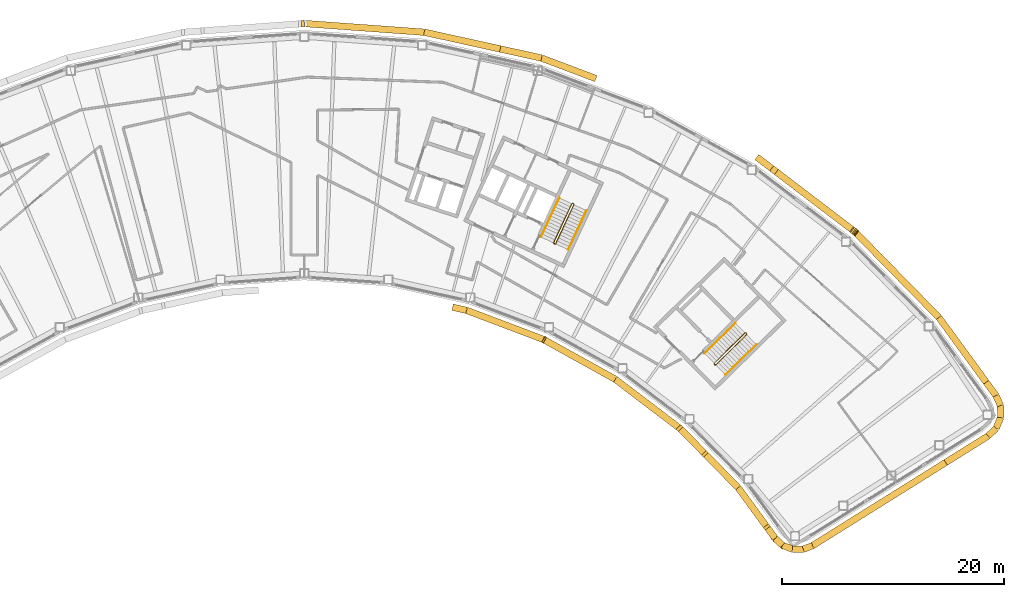
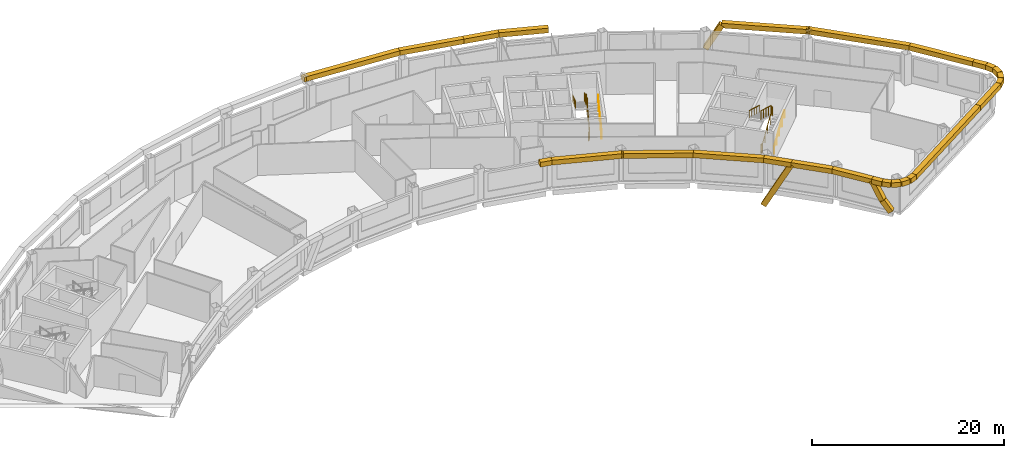
# One storey, part 13 of 13: 35 coverings, 6 railings.
"""IFC4 building model written with IfcOpenShell, lengths in metres."""

from ifc_helpers import new_model, si_unit, direction, frame, origin, origin_2d, place, context, subcontext, project, spatial, rectangle, circle, extrude, material, material_profile, profile_set, type_object, element, save


model = new_model("IFC4")

# Units and contexts
model_context = context("Model", 3, precision=1e-05, world=origin(), true_north=direction((0.0, 1.0)))
body_context = subcontext(model_context, "Body", "Model", "MODEL_VIEW")
ifc_project = project(units=[si_unit("LENGTHUNIT", "METRE"), si_unit("AREAUNIT", "SQUARE_METRE"), si_unit("VOLUMEUNIT", "CUBIC_METRE"), si_unit("PLANEANGLEUNIT", "RADIAN"), si_unit("MASSUNIT", "GRAM", prefix="KILO")], contexts=[model_context])

# Site, building, storey
site_placement = place(None, origin())
site = spatial("IfcSite", under=ifc_project, at=site_placement, CompositionType="ELEMENT")
building_placement = place(site_placement, origin())
building = spatial("IfcBuilding", under=site, at=building_placement, Name="Tuul Gate Civic Tower", CompositionType="ELEMENT")
storey_placement = place(building_placement, frame((0.0, 0.0, 252.60009765625)))
storey = spatial("IfcBuildingStorey", under=building, at=storey_placement, Name="Level 57", CompositionType="ELEMENT", Elevation=252.60009765625)

# Railings
ifc_material_1 = material(Name="Painted steel", Category="steel")
railing_type_1 = type_object("IfcRailingType", Name="Stair guard", PredefinedType="GUARDRAIL", material=ifc_material_1)
railing_1_placement = place(storey_placement, frame((48.10546875, -16.134765625, 0.0)))
element("IfcRailing", 1, at=railing_1_placement, inside=storey, type_object=railing_type_1, Name="Level 57 ST-3 stair guard 1", PredefinedType="GUARDRAIL", context=body_context, shape_type="SweptSolid", body=[
    extrude(circle(Radius=0.02392578125, at=origin_2d()), frame((0.0, 0.0, 1.076171875), z_axis=(-0.698506948293, 0.715603272202, 0.0), x_axis=(-0.715603272202, -0.698506948293, 0.0)), (0.0, 0.0, 1.0), 0.099853515625),
    extrude(circle(Radius=0.02392578125, at=origin_2d()), frame((-0.06982421875, 0.071533203125, 1.076171875), z_axis=(0.645446321009, -0.331687692741, 0.688027849131), x_axis=(0.457068866502, 0.889431307788, 0.0)), (0.0, 0.0, 1.0), 0.2177734375),
    extrude(circle(Radius=0.02392578125, at=origin_2d()), frame((0.07080078125, -0.000732421875, 1.22607421875), z_axis=(0.638731261263, 0.626133563701, 0.447190268558), x_axis=(-0.700029477518, 0.714113947914, 0.0)), (0.0, 0.0, 1.0), 4.3603515625),
    extrude(circle(Radius=0.02392578125, at=origin_2d()), frame((2.85595703125, 2.7294921875, 3.17578125), z_axis=(0.010380063588, 0.999946125689, 0.0), x_axis=(-0.999946125689, 0.010380063588, 0.0)), (0.0, 0.0, 1.0), 0.070556640625),
    extrude(circle(Radius=0.02392578125, at=origin_2d()), frame((2.856689453125, 2.800048828125, 3.17578125), z_axis=(-0.699754442181, 0.714383454909, 0.0), x_axis=(-0.714383454909, -0.699754442181, 0.0)), (0.0, 0.0, 1.0), 0.10009765625),
    extrude(circle(Radius=0.02392578125, at=origin_2d()), frame((2.78662109375, 2.87158203125, 3.17578125), z_axis=(-0.426501027327, 0.004412079593, 0.904476316574), x_axis=(-0.010344274102, -0.999946496565, 0.0)), (0.0, 0.0, 1.0), 0.166015625),
    extrude(circle(Radius=0.02392578125, at=origin_2d()), frame((2.7158203125, 2.872314453125, 3.326171875), z_axis=(-0.638731261263, -0.626133563701, 0.447190268558), x_axis=(0.700029477518, -0.714113947914, 0.0)), (0.0, 0.0, 1.0), 4.3603515625),
    extrude(circle(Radius=0.02099609375, at=origin_2d()), origin(), (0.0, 0.0, 1.0), 1.052001953125),
    extrude(circle(Radius=0.02099609375, at=origin_2d()), frame((-0.06982421875, 0.071533203125, 0.0)), (0.0, 0.0, 1.0), 1.052001953125),
    extrude(circle(Radius=0.02099609375, at=origin_2d()), frame((0.07080078125, -0.000732421875, 0.14990234375)), (0.0, 0.0, 1.0), 1.052001953125),
    extrude(circle(Radius=0.02099609375, at=origin_2d()), frame((0.76708984375, 0.681884765625, 0.637451171875)), (0.0, 0.0, 1.0), 1.052001953125),
    extrude(circle(Radius=0.02099609375, at=origin_2d()), frame((1.46337890625, 1.3642578125, 1.125)), (0.0, 0.0, 1.0), 1.052001953125),
    extrude(circle(Radius=0.02099609375, at=origin_2d()), frame((2.15966796875, 2.046875, 1.6123046875)), (0.0, 0.0, 1.0), 1.052001953125),
    extrude(circle(Radius=0.02099609375, at=origin_2d()), frame((2.85595703125, 2.7294921875, 2.099853515625)), (0.0, 0.0, 1.0), 1.052001953125),
    extrude(circle(Radius=0.02099609375, at=origin_2d()), frame((2.856689453125, 2.800048828125, 2.099853515625)), (0.0, 0.0, 1.0), 1.052001953125),
    extrude(circle(Radius=0.02099609375, at=origin_2d()), frame((2.78662109375, 2.87158203125, 2.099853515625)), (0.0, 0.0, 1.0), 1.052001953125),
    extrude(circle(Radius=0.02099609375, at=origin_2d()), frame((2.7158203125, 2.872314453125, 2.25)), (0.0, 0.0, 1.0), 1.052001953125),
    extrude(circle(Radius=0.02099609375, at=origin_2d()), frame((2.01953125, 2.189697265625, 2.737548828125)), (0.0, 0.0, 1.0), 1.052001953125),
    extrude(circle(Radius=0.02099609375, at=origin_2d()), frame((1.3232421875, 1.50732421875, 3.22509765625)), (0.0, 0.0, 1.0), 1.052001953125),
    extrude(circle(Radius=0.02099609375, at=origin_2d()), frame((0.626953125, 0.82470703125, 3.71240234375)), (0.0, 0.0, 1.0), 1.052001953125),
    extrude(circle(Radius=0.02099609375, at=origin_2d()), frame((-0.0693359375, 0.14208984375, 4.199951171875)), (0.0, 0.0, 1.0), 1.052001953125),
])
railing_2_placement = place(storey_placement, frame((33.645751953125, -5.238525390625, 0.0)))
element("IfcRailing", 2, at=railing_2_placement, inside=storey, type_object=railing_type_1, Name="Level 57 ST-4 stair guard 1", PredefinedType="GUARDRAIL", context=body_context, shape_type="SweptSolid", body=[
    extrude(circle(Radius=0.02392578125, at=origin_2d()), frame((0.0, 0.0, 1.076171875), z_axis=(-0.906307919131, 0.422617978463, 0.0), x_axis=(-0.422617978463, -0.906307919131, 0.0)), (0.0, 0.0, 1.0), 0.099853515625),
    extrude(circle(Radius=0.02392578125, at=origin_2d()), frame((-0.090576171875, 0.042236328125, 1.076171875), z_axis=(0.720735628292, -0.082946246491, 0.688229666829), x_axis=(0.114330889033, 0.993442724979, 0.0)), (0.0, 0.0, 1.0), 0.2177734375),
    extrude(circle(Radius=0.02392578125, at=origin_2d()), frame((0.06640625, 0.024169921875, 1.22607421875), z_axis=(0.377946903738, 0.810654114417, 0.447209173356), x_axis=(-0.906336612539, 0.422556439746, 0.0)), (0.0, 0.0, 1.0), 4.3603515625),
    extrude(circle(Radius=0.02392578125, at=origin_2d()), frame((1.71435546875, 3.558837890625, 3.17578125), z_axis=(-0.342020437038, 0.939692513883, 0.0), x_axis=(-0.939692513883, -0.342020437038, 0.0)), (0.0, 0.0, 1.0), 0.070556640625),
    extrude(circle(Radius=0.02392578125, at=origin_2d()), frame((1.690185546875, 3.625244140625, 3.17578125), z_axis=(-0.906307919131, 0.422617978463, 0.0), x_axis=(-0.422617978463, -0.906307919131, 0.0)), (0.0, 0.0, 1.0), 0.099853515625),
    extrude(circle(Radius=0.02392578125, at=origin_2d()), frame((1.599609375, 3.66748046875, 3.17578125), z_axis=(-0.400168791901, -0.145649670582, 0.904793408159), x_axis=(0.342020437038, -0.939692513883, 0.0)), (0.0, 0.0, 1.0), 0.166015625),
    extrude(circle(Radius=0.02392578125, at=origin_2d()), frame((1.533203125, 3.643310546875, 3.326171875), z_axis=(-0.377946903738, -0.810654114417, 0.447209173356), x_axis=(0.906336612539, -0.422556439746, 0.0)), (0.0, 0.0, 1.0), 4.3603515625),
    extrude(circle(Radius=0.02099609375, at=origin_2d()), origin(), (0.0, 0.0, 1.0), 1.052001953125),
    extrude(circle(Radius=0.02099609375, at=origin_2d()), frame((-0.090576171875, 0.042236328125, 0.0)), (0.0, 0.0, 1.0), 1.052001953125),
    extrude(circle(Radius=0.02099609375, at=origin_2d()), frame((0.06640625, 0.024169921875, 0.14990234375)), (0.0, 0.0, 1.0), 1.052001953125),
    extrude(circle(Radius=0.02099609375, at=origin_2d()), frame((0.478515625, 0.90771484375, 0.637451171875)), (0.0, 0.0, 1.0), 1.052001953125),
    extrude(circle(Radius=0.02099609375, at=origin_2d()), frame((0.890380859375, 1.79150390625, 1.125)), (0.0, 0.0, 1.0), 1.052001953125),
    extrude(circle(Radius=0.02099609375, at=origin_2d()), frame((1.30224609375, 2.67529296875, 1.6123046875)), (0.0, 0.0, 1.0), 1.052001953125),
    extrude(circle(Radius=0.02099609375, at=origin_2d()), frame((1.71435546875, 3.558837890625, 2.099853515625)), (0.0, 0.0, 1.0), 1.052001953125),
    extrude(circle(Radius=0.02099609375, at=origin_2d()), frame((1.690185546875, 3.625244140625, 2.099853515625)), (0.0, 0.0, 1.0), 1.052001953125),
    extrude(circle(Radius=0.02099609375, at=origin_2d()), frame((1.599609375, 3.66748046875, 2.099853515625)), (0.0, 0.0, 1.0), 1.052001953125),
    extrude(circle(Radius=0.02099609375, at=origin_2d()), frame((1.533203125, 3.643310546875, 2.25)), (0.0, 0.0, 1.0), 1.052001953125),
    extrude(circle(Radius=0.02099609375, at=origin_2d()), frame((1.12109375, 2.759765625, 2.737548828125)), (0.0, 0.0, 1.0), 1.052001953125),
    extrude(circle(Radius=0.02099609375, at=origin_2d()), frame((0.709228515625, 1.8759765625, 3.22509765625)), (0.0, 0.0, 1.0), 1.052001953125),
    extrude(circle(Radius=0.02099609375, at=origin_2d()), frame((0.29736328125, 0.9921875, 3.71240234375)), (0.0, 0.0, 1.0), 1.052001953125),
    extrude(circle(Radius=0.02099609375, at=origin_2d()), frame((-0.11474609375, 0.108642578125, 4.199951171875)), (0.0, 0.0, 1.0), 1.052001953125),
])
ifc_material_2 = material(Name="Painted steel", Category="steel")
railing_type_2 = type_object("IfcRailingType", Name="Stair handrail", PredefinedType="HANDRAIL", material=ifc_material_2)
railing_3_placement = place(storey_placement, frame((49.05126953125, -17.028076171875, 0.14990234375)))
element("IfcRailing", 3, at=railing_3_placement, inside=storey, type_object=railing_type_2, Name="Level 57 ST-3 stair handrail 1", PredefinedType="HANDRAIL", context=body_context, shape_type="SweptSolid", body=[
    extrude(circle(Radius=0.02392578125, at=origin_2d()), frame((0.0, 0.0, 0.8759765625), z_axis=(0.638753653487, 0.626099522554, 0.447205945863), x_axis=(-0.699997553204, 0.714145241186, 0.0)), (0.0, 0.0, 1.0), 4.3603515625),
    extrude(circle(Radius=0.02099609375, at=origin_2d()), origin(), (0.0, 0.0, 1.0), 0.851806640625),
    extrude(circle(Radius=0.02099609375, at=origin_2d()), frame((0.6962890625, 0.6826171875, 0.487548828125)), (0.0, 0.0, 1.0), 0.851806640625),
    extrude(circle(Radius=0.02099609375, at=origin_2d()), frame((1.392578125, 1.364990234375, 0.97509765625)), (0.0, 0.0, 1.0), 0.851806640625),
    extrude(circle(Radius=0.02099609375, at=origin_2d()), frame((2.0888671875, 2.04736328125, 1.46240234375)), (0.0, 0.0, 1.0), 0.851806640625),
    extrude(circle(Radius=0.02099609375, at=origin_2d()), frame((2.78515625, 2.72998046875, 1.949951171875)), (0.0, 0.0, 1.0), 0.851806640625),
])
railing_4_placement = place(storey_placement, frame((49.9462890625, -12.369873046875, 2.25)))
element("IfcRailing", 4, at=railing_4_placement, inside=storey, type_object=railing_type_2, Name="Level 57 ST-3 stair handrail 2", PredefinedType="HANDRAIL", context=body_context, shape_type="SweptSolid", body=[
    extrude(circle(Radius=0.02392578125, at=origin_2d()), frame((0.0, 0.0, 0.8759765625), z_axis=(-0.638753653487, -0.626099522554, 0.447205945863), x_axis=(0.699997553204, -0.714145241186, 0.0)), (0.0, 0.0, 1.0), 4.3603515625),
    extrude(circle(Radius=0.02099609375, at=origin_2d()), origin(), (0.0, 0.0, 1.0), 0.851806640625),
    extrude(circle(Radius=0.02099609375, at=origin_2d()), frame((-0.6962890625, -0.6826171875, 0.487548828125)), (0.0, 0.0, 1.0), 0.851806640625),
    extrude(circle(Radius=0.02099609375, at=origin_2d()), frame((-1.392578125, -1.364990234375, 0.97509765625)), (0.0, 0.0, 1.0), 0.851806640625),
    extrude(circle(Radius=0.02099609375, at=origin_2d()), frame((-2.0888671875, -2.04736328125, 1.46240234375)), (0.0, 0.0, 1.0), 0.851806640625),
    extrude(circle(Radius=0.02099609375, at=origin_2d()), frame((-2.78515625, -2.72998046875, 1.949951171875)), (0.0, 0.0, 1.0), 0.851806640625),
])
railing_5_placement = place(storey_placement, frame((34.844970703125, -5.74267578125, 0.14990234375)))
element("IfcRailing", 5, at=railing_5_placement, inside=storey, type_object=railing_type_2, Name="Level 57 ST-4 stair handrail 1", PredefinedType="HANDRAIL", context=body_context, shape_type="SweptSolid", body=[
    extrude(circle(Radius=0.02392578125, at=origin_2d()), frame((0.0, 0.0, 0.8759765625), z_axis=(0.377994896215, 0.810636958585, 0.447199709091), x_axis=(-0.906312636903, 0.422607861012, 0.0)), (0.0, 0.0, 1.0), 4.3603515625),
    extrude(circle(Radius=0.02099609375, at=origin_2d()), origin(), (0.0, 0.0, 1.0), 0.851806640625),
    extrude(circle(Radius=0.02099609375, at=origin_2d()), frame((0.412109375, 0.8837890625, 0.487548828125)), (0.0, 0.0, 1.0), 0.851806640625),
    extrude(circle(Radius=0.02099609375, at=origin_2d()), frame((0.82421875, 1.767333984375, 0.97509765625)), (0.0, 0.0, 1.0), 0.851806640625),
    extrude(circle(Radius=0.02099609375, at=origin_2d()), frame((1.236083984375, 2.65087890625, 1.46240234375)), (0.0, 0.0, 1.0), 0.851806640625),
    extrude(circle(Radius=0.02099609375, at=origin_2d()), frame((1.648193359375, 3.53466796875, 1.949951171875)), (0.0, 0.0, 1.0), 0.851806640625),
])
railing_6_placement = place(storey_placement, frame((34.046142578125, -1.06689453125, 2.25)))
element("IfcRailing", 6, at=railing_6_placement, inside=storey, type_object=railing_type_2, Name="Level 57 ST-4 stair handrail 2", PredefinedType="HANDRAIL", context=body_context, shape_type="SweptSolid", body=[
    extrude(circle(Radius=0.02392578125, at=origin_2d()), frame((0.0, 0.0, 0.8759765625), z_axis=(-0.377994896215, -0.810636958585, 0.447199709091), x_axis=(0.906312636903, -0.422607861012, 0.0)), (0.0, 0.0, 1.0), 4.3603515625),
    extrude(circle(Radius=0.02099609375, at=origin_2d()), origin(), (0.0, 0.0, 1.0), 0.851806640625),
    extrude(circle(Radius=0.02099609375, at=origin_2d()), frame((-0.412109375, -0.8837890625, 0.487548828125)), (0.0, 0.0, 1.0), 0.851806640625),
    extrude(circle(Radius=0.02099609375, at=origin_2d()), frame((-0.82421875, -1.767333984375, 0.97509765625)), (0.0, 0.0, 1.0), 0.851806640625),
    extrude(circle(Radius=0.02099609375, at=origin_2d()), frame((-1.236083984375, -2.65087890625, 1.46240234375)), (0.0, 0.0, 1.0), 0.851806640625),
    extrude(circle(Radius=0.02099609375, at=origin_2d()), frame((-1.648193359375, -3.53466796875, 1.949951171875)), (0.0, 0.0, 1.0), 0.851806640625),
])

# Coverings
ifc_material_3 = material(Name="Terracotta baguette", Category="masonry")
ifc_material_profile = material_profile(ifc_material_3, rectangle(XDim=0.60009765625, YDim=0.60009765625, at=origin_2d()), Name="Terracotta baguette screen frame")
ifc_profile_set = profile_set([ifc_material_profile], Name="Terracotta baguette")
covering_type = type_object("IfcCoveringType", Name="Terracotta baguette screen frame", PredefinedType="CLADDING", material=ifc_profile_set)
covering_1_placement = place(storey_placement, frame((68.93212890625, -24.951171875, 3.849853515625), z_axis=(0.848019513707, 0.529965002969, 0.0), x_axis=(-0.529965002969, 0.848019513707, 0.0)))
element("IfcCovering", 7, at=covering_1_placement, inside=storey, type_object=covering_type, Name="Baguette 4", PredefinedType="CLADDING", context=body_context, shape_type="SweptSolid", body=[
    extrude(rectangle(XDim=0.60009765625, YDim=0.60009765625, at=origin_2d()), origin(), (0.0, 0.0, 1.0), 4.526611328125),
])
covering_2_placement = place(storey_placement, frame((72.770751953125, -22.55224609375, 3.849853515625), z_axis=(0.722749211147, 0.69111039479, 0.0), x_axis=(-0.69111039479, 0.722749211147, 0.0)))
element("IfcCovering", 8, at=covering_2_placement, inside=storey, type_object=covering_type, Name="Baguette 5", PredefinedType="CLADDING", context=body_context, shape_type="SweptSolid", body=[
    extrude(rectangle(XDim=0.60009765625, YDim=0.60009765625, at=origin_2d()), origin(), (0.0, 0.0, 1.0), 0.98779296875),
])
covering_3_placement = place(storey_placement, frame((73.484619140625, -21.86962890625, 3.849853515625), z_axis=(0.385378072861, 0.922758766394, 0.0), x_axis=(-0.922758766394, 0.385378072861, 0.0)))
element("IfcCovering", 9, at=covering_3_placement, inside=storey, type_object=covering_type, Name="Baguette 6", PredefinedType="CLADDING", context=body_context, shape_type="SweptSolid", body=[
    extrude(rectangle(XDim=0.60009765625, YDim=0.60009765625, at=origin_2d()), origin(), (0.0, 0.0, 1.0), 1.068115234375),
])
covering_4_placement = place(storey_placement, frame((73.896240234375, -20.884033203125, 3.849853515625), z_axis=(-0.014650442147, 0.999892676513, 0.0), x_axis=(-0.999892676513, -0.014650442147, 0.0)))
element("IfcCovering", 10, at=covering_4_placement, inside=storey, type_object=covering_type, Name="Baguette 7", PredefinedType="CLADDING", context=body_context, shape_type="SweptSolid", body=[
    extrude(rectangle(XDim=0.60009765625, YDim=0.60009765625, at=origin_2d()), origin(), (0.0, 0.0, 1.0), 1.06640625),
])
covering_5_placement = place(storey_placement, frame((73.880615234375, -19.817626953125, 3.849853515625), z_axis=(-0.4130215853, 0.910721236206, 0.0), x_axis=(-0.910721236206, -0.4130215853, 0.0)))
element("IfcCovering", 11, at=covering_5_placement, inside=storey, type_object=covering_type, Name="Baguette 8", PredefinedType="CLADDING", context=body_context, shape_type="SweptSolid", body=[
    extrude(rectangle(XDim=0.60009765625, YDim=0.60009765625, at=origin_2d()), origin(), (0.0, 0.0, 1.0), 0.989013671875),
])
covering_6_placement = place(storey_placement, frame((73.47216796875, -18.9169921875, 3.849853515625), z_axis=(-0.589783082053, 0.807561710412, 0.0), x_axis=(-0.807561710412, -0.589783082053, 0.0)))
element("IfcCovering", 12, at=covering_6_placement, inside=storey, type_object=covering_type, Name="Baguette 9", PredefinedType="CLADDING", context=body_context, shape_type="SweptSolid", body=[
    extrude(rectangle(XDim=0.60009765625, YDim=0.60009765625, at=origin_2d()), origin(), (0.0, 0.0, 1.0), 1.494384765625),
])
covering_7_placement = place(storey_placement, frame((60.724609375, -4.1142578125, 4.017578125), z_axis=(-0.377826807686, 0.288172988913, -0.879888192815), x_axis=(-0.606449175924, -0.795122252878, 0.0)))
element("IfcCovering", 13, at=covering_7_placement, inside=storey, type_object=covering_type, Name="Baguette 28", PredefinedType="CLADDING", context=body_context, shape_type="SweptSolid", body=[
    extrude(rectangle(XDim=0.60009765625, YDim=0.60009765625, at=origin_2d()), origin(), (0.0, 0.0, 1.0), 0.190673828125),
])
covering_8_placement = place(storey_placement, frame((60.652587890625, -4.059326171875, 3.849853515625), z_axis=(0.378253003492, -0.288498053511, -0.879598509815), x_axis=(0.606449175924, 0.795122252878, 0.0)))
element("IfcCovering", 14, at=covering_8_placement, inside=storey, type_object=covering_type, Name="Baguette 31", PredefinedType="CLADDING", context=body_context, shape_type="SweptSolid", body=[
    extrude(rectangle(XDim=0.60009765625, YDim=0.60009765625, at=origin_2d()), origin(), (0.0, 0.0, 1.0), 0.1904296875),
])
covering_9_placement = place(storey_placement, frame((60.652587890625, -4.059326171875, 3.849853515625), z_axis=(-0.795655287337, 0.605749670848, 0.0), x_axis=(-0.605749670848, -0.795655287337, 0.0)))
element("IfcCovering", 15, at=covering_9_placement, inside=storey, type_object=covering_type, Name="Baguette 33", PredefinedType="CLADDING", context=body_context, shape_type="SweptSolid", body=[
    extrude(rectangle(XDim=0.60009765625, YDim=0.60009765625, at=origin_2d()), origin(), (0.0, 0.0, 1.0), 9.072509765625),
])
covering_10_placement = place(storey_placement, frame((53.43408203125, 1.436279296875, 3.849853515625), z_axis=(-0.378115726699, 0.287796863786, -0.879887187324), x_axis=(-0.605655261716, -0.795727154215, 0.0)))
element("IfcCovering", 16, at=covering_10_placement, inside=storey, type_object=covering_type, Name="Baguette 37", PredefinedType="CLADDING", context=body_context, shape_type="SweptSolid", body=[
    extrude(rectangle(XDim=0.60009765625, YDim=0.60009765625, at=origin_2d()), origin(), (0.0, 0.0, 1.0), 3.5517578125),
])
covering_11_placement = place(storey_placement, frame((37.35693359375, 9.7021484375, 3.849853515625), z_axis=(-0.935352024444, 0.353718235845, 0.0), x_axis=(-0.353718235845, -0.935352024444, 0.0)))
element("IfcCovering", 17, at=covering_11_placement, inside=storey, type_object=covering_type, Name="Baguette 54", PredefinedType="CLADDING", context=body_context, shape_type="SweptSolid", body=[
    extrude(rectangle(XDim=0.60009765625, YDim=0.60009765625, at=origin_2d()), origin(), (0.0, 0.0, 1.0), 5.24560546875),
])
covering_12_placement = place(storey_placement, frame((32.450439453125, 11.5576171875, 3.849853515625), z_axis=(-0.976557903523, 0.215254874664, 0.0), x_axis=(-0.215254874664, -0.976557903523, 0.0)))
element("IfcCovering", 18, at=covering_12_placement, inside=storey, type_object=covering_type, Name="Baguette 55", PredefinedType="CLADDING", context=body_context, shape_type="SweptSolid", body=[
    extrude(rectangle(XDim=0.60009765625, YDim=0.60009765625, at=origin_2d()), origin(), (0.0, 0.0, 1.0), 3.82666015625),
])
covering_13_placement = place(storey_placement, frame((24.4091796875, -10.938232421875, 3.849853515625), z_axis=(0.976580321069, -0.215153146619, 0.0), x_axis=(0.215153146619, 0.976580321069, 0.0)))
element("IfcCovering", 19, at=covering_13_placement, inside=storey, type_object=covering_type, Name="Baguette 229", PredefinedType="CLADDING", context=body_context, shape_type="SweptSolid", body=[
    extrude(rectangle(XDim=0.60009765625, YDim=0.60009765625, at=origin_2d()), origin(), (0.0, 0.0, 1.0), 1.294677734375),
])
covering_14_placement = place(storey_placement, frame((25.673583984375, -11.216796875, 3.849853515625), z_axis=(0.935320405664, -0.353801835423, 0.0), x_axis=(0.353801835423, 0.935320405664, 0.0)))
element("IfcCovering", 20, at=covering_14_placement, inside=storey, type_object=covering_type, Name="Baguette 230", PredefinedType="CLADDING", context=body_context, shape_type="SweptSolid", body=[
    extrude(rectangle(XDim=0.60009765625, YDim=0.60009765625, at=origin_2d()), origin(), (0.0, 0.0, 1.0), 7.41796875),
])
covering_15_placement = place(storey_placement, frame((32.61181640625, -13.84130859375, 3.849853515625), z_axis=(0.875065648596, -0.484004246518, 0.0), x_axis=(0.484004246518, 0.875065648596, 0.0)))
element("IfcCovering", 21, at=covering_15_placement, inside=storey, type_object=covering_type, Name="Baguette 231", PredefinedType="CLADDING", context=body_context, shape_type="SweptSolid", body=[
    extrude(rectangle(XDim=0.60009765625, YDim=0.60009765625, at=origin_2d()), origin(), (0.0, 0.0, 1.0), 0.13916015625),
])
covering_16_placement = place(storey_placement, frame((47.10693359375, -24.07861328125, 3.849853515625), z_axis=(-0.326322306676, 0.332868429016, -0.884710326113), x_axis=(-0.714093526358, -0.700050309345, 0.0)))
element("IfcCovering", 22, at=covering_16_placement, inside=storey, type_object=covering_type, Name="Baguette 250", PredefinedType="CLADDING", context=body_context, shape_type="SweptSolid", body=[
    extrude(rectangle(XDim=0.60009765625, YDim=0.60009765625, at=origin_2d()), origin(), (0.0, 0.0, 1.0), 6.4521484375),
])
covering_17_placement = place(storey_placement, frame((47.10693359375, -24.07861328125, 3.849853515625), z_axis=(0.700013851188, -0.714129265711, 0.0), x_axis=(0.714129265711, 0.700013851188, 0.0)))
element("IfcCovering", 23, at=covering_17_placement, inside=storey, type_object=covering_type, Name="Baguette 252", PredefinedType="CLADDING", context=body_context, shape_type="SweptSolid", body=[
    extrude(rectangle(XDim=0.60009765625, YDim=0.60009765625, at=origin_2d()), origin(), (0.0, 0.0, 1.0), 4.410400390625),
])
covering_18_placement = place(storey_placement, frame((50.1943359375, -27.228271484375, 3.849853515625), z_axis=(0.589760566258, -0.807578153795, 0.0), x_axis=(0.807578153795, 0.589760566258, 0.0)))
element("IfcCovering", 24, at=covering_18_placement, inside=storey, type_object=covering_type, Name="Baguette 253", PredefinedType="CLADDING", context=body_context, shape_type="SweptSolid", body=[
    extrude(rectangle(XDim=0.60009765625, YDim=0.60009765625, at=origin_2d()), origin(), (0.0, 0.0, 1.0), 4.519287109375),
])
covering_19_placement = place(storey_placement, frame((52.859619140625, -30.8779296875, 3.849853515625), z_axis=(0.278638300045, -0.381700417496, -0.881286269626), x_axis=(0.807690018687, 0.589607355546, 0.0)))
element("IfcCovering", 25, at=covering_19_placement, inside=storey, type_object=covering_type, Name="Baguette 258", PredefinedType="CLADDING", context=body_context, shape_type="SweptSolid", body=[
    extrude(rectangle(XDim=0.60009765625, YDim=0.60009765625, at=origin_2d()), origin(), (0.0, 0.0, 1.0), 2.4375),
])
covering_20_placement = place(storey_placement, frame((53.538818359375, -31.808349609375, 1.70166015625), z_axis=(0.418515268248, -0.39182463935, -0.819340235947), x_axis=(0.683445771731, 0.730001285686, 0.0)))
element("IfcCovering", 26, at=covering_20_placement, inside=storey, type_object=covering_type, Name="Baguette 259", PredefinedType="CLADDING", context=body_context, shape_type="SweptSolid", body=[
    extrude(rectangle(XDim=0.60009765625, YDim=0.60009765625, at=origin_2d()), origin(), (0.0, 0.0, 1.0), 1.5732421875),
])
covering_21_placement = place(storey_placement, frame((72.5908203125, -17.710205078125, 3.849853515625), z_axis=(-0.58982464892, 0.80753135142, 0.0), x_axis=(-0.80753135142, -0.58982464892, 0.0)))
element("IfcCovering", 27, at=covering_21_placement, inside=storey, type_object=covering_type, Name="Baguette 291", PredefinedType="CLADDING", context=body_context, shape_type="SweptSolid", body=[
    extrude(rectangle(XDim=0.60009765625, YDim=0.60009765625, at=origin_2d()), origin(), (0.0, 0.0, 1.0), 7.239990234375),
])
covering_22_placement = place(storey_placement, frame((68.320556640625, -11.86376953125, 3.849853515625), z_axis=(-0.699995601925, 0.714147153804, 0.0), x_axis=(-0.714147153804, -0.699995601925, 0.0)))
element("IfcCovering", 28, at=covering_22_placement, inside=storey, type_object=covering_type, Name="Baguette 292", PredefinedType="CLADDING", context=body_context, shape_type="SweptSolid", body=[
    extrude(rectangle(XDim=0.60009765625, YDim=0.60009765625, at=origin_2d()), origin(), (0.0, 0.0, 1.0), 10.851318359375),
])
covering_23_placement = place(storey_placement, frame((60.724609375, -4.1142578125, 3.849853515625), z_axis=(-0.795122252878, 0.606449175924, 0.0), x_axis=(-0.606449175924, -0.795122252878, 0.0)))
element("IfcCovering", 29, at=covering_23_placement, inside=storey, type_object=covering_type, Name="Baguette 293", PredefinedType="CLADDING", context=body_context, shape_type="SweptSolid", body=[
    extrude(rectangle(XDim=0.60009765625, YDim=0.60009765625, at=origin_2d()), origin(), (0.0, 0.0, 1.0), 0.090576171875),
])
covering_24_placement = place(storey_placement, frame((28.71337890625, 12.38134765625, 3.849853515625), z_axis=(-0.976568263541, 0.215207868455, 0.0), x_axis=(-0.215207868455, -0.976568263541, 0.0)))
element("IfcCovering", 30, at=covering_24_placement, inside=storey, type_object=covering_type, Name="Baguette 302", PredefinedType="CLADDING", context=body_context, shape_type="SweptSolid", body=[
    extrude(rectangle(XDim=0.60009765625, YDim=0.60009765625, at=origin_2d()), origin(), (0.0, 0.0, 1.0), 7.0244140625),
])
covering_25_placement = place(storey_placement, frame((21.853515625, 13.89306640625, 3.849853515625), z_axis=(-0.997386817082, 0.072246363998, 0.0), x_axis=(-0.072246363998, -0.997386817082, 0.0)))
element("IfcCovering", 31, at=covering_25_placement, inside=storey, type_object=covering_type, Name="Baguette 303", PredefinedType="CLADDING", context=body_context, shape_type="SweptSolid", body=[
    extrude(rectangle(XDim=0.60009765625, YDim=0.60009765625, at=origin_2d()), origin(), (0.0, 0.0, 1.0), 10.850830078125),
])
covering_26_placement = place(storey_placement, frame((11.031005859375, 14.677001953125, 3.849853515625), z_axis=(-0.997370581012, -0.072470160291, 0.0), x_axis=(0.072470160291, -0.997370581012, 0.0)))
element("IfcCovering", 32, at=covering_26_placement, inside=storey, type_object=covering_type, Name="Baguette 304", PredefinedType="CLADDING", context=body_context, shape_type="SweptSolid", body=[
    extrude(rectangle(XDim=0.60009765625, YDim=0.60009765625, at=origin_2d()), origin(), (0.0, 0.0, 1.0), 0.26953125),
])
covering_27_placement = place(storey_placement, frame((32.733642578125, -13.90869140625, 3.849853515625), z_axis=(0.874622022886, -0.484805442506, 0.0), x_axis=(0.484805442506, 0.874622022886, 0.0)))
element("IfcCovering", 33, at=covering_27_placement, inside=storey, type_object=covering_type, Name="Baguette 359", PredefinedType="CLADDING", context=body_context, shape_type="SweptSolid", body=[
    extrude(rectangle(XDim=0.60009765625, YDim=0.60009765625, at=origin_2d()), origin(), (0.0, 0.0, 1.0), 7.27880859375),
])
covering_28_placement = place(storey_placement, frame((39.099853515625, -17.4375, 3.849853515625), z_axis=(0.795630389124, -0.605782373384, 0.0), x_axis=(0.605782373384, 0.795630389124, 0.0)))
element("IfcCovering", 34, at=covering_28_placement, inside=storey, type_object=covering_type, Name="Baguette 360", PredefinedType="CLADDING", context=body_context, shape_type="SweptSolid", body=[
    extrude(rectangle(XDim=0.60009765625, YDim=0.60009765625, at=origin_2d()), origin(), (0.0, 0.0, 1.0), 7.41748046875),
])
covering_29_placement = place(storey_placement, frame((45.00146484375, -21.930908203125, 3.849853515625), z_axis=(0.700050309345, -0.714093526358, 0.0), x_axis=(0.714093526358, 0.700050309345, 0.0)))
element("IfcCovering", 35, at=covering_29_placement, inside=storey, type_object=covering_type, Name="Baguette 361", PredefinedType="CLADDING", context=body_context, shape_type="SweptSolid", body=[
    extrude(rectangle(XDim=0.60009765625, YDim=0.60009765625, at=origin_2d()), origin(), (0.0, 0.0, 1.0), 3.007568359375),
])
covering_30_placement = place(storey_placement, frame((52.859619140625, -30.8779296875, 3.849853515625), z_axis=(0.589607355546, -0.807690018687, 0.0), x_axis=(0.807690018687, 0.589607355546, 0.0)))
element("IfcCovering", 36, at=covering_30_placement, inside=storey, type_object=covering_type, Name="Baguette 373", PredefinedType="CLADDING", context=body_context, shape_type="SweptSolid", body=[
    extrude(rectangle(XDim=0.60009765625, YDim=0.60009765625, at=origin_2d()), origin(), (0.0, 0.0, 1.0), 1.15185546875),
])
covering_31_placement = place(storey_placement, frame((53.538818359375, -31.808349609375, 3.849853515625), z_axis=(0.730001285686, -0.683445771731, 0.0), x_axis=(0.683445771731, 0.730001285686, 0.0)))
element("IfcCovering", 37, at=covering_31_placement, inside=storey, type_object=covering_type, Name="Baguette 374", PredefinedType="CLADDING", context=body_context, shape_type="SweptSolid", body=[
    extrude(rectangle(XDim=0.60009765625, YDim=0.60009765625, at=origin_2d()), origin(), (0.0, 0.0, 1.0), 0.902099609375),
])
covering_32_placement = place(storey_placement, frame((54.197265625, -32.4248046875, 3.849853515625), z_axis=(0.929665294904, -0.368405265232, 0.0), x_axis=(0.368405265232, 0.929665294904, 0.0)))
element("IfcCovering", 38, at=covering_32_placement, inside=storey, type_object=covering_type, Name="Baguette 375", PredefinedType="CLADDING", context=body_context, shape_type="SweptSolid", body=[
    extrude(rectangle(XDim=0.60009765625, YDim=0.60009765625, at=origin_2d()), origin(), (0.0, 0.0, 1.0), 0.973388671875),
])
covering_33_placement = place(storey_placement, frame((55.102294921875, -32.783447265625, 3.849853515625), z_axis=(0.999990900757, -0.004265958673, 0.0), x_axis=(0.004265958673, 0.999990900757, 0.0)))
element("IfcCovering", 39, at=covering_33_placement, inside=storey, type_object=covering_type, Name="Baguette 376", PredefinedType="CLADDING", context=body_context, shape_type="SweptSolid", body=[
    extrude(rectangle(XDim=0.60009765625, YDim=0.60009765625, at=origin_2d()), origin(), (0.0, 0.0, 1.0), 0.972900390625),
])
covering_34_placement = place(storey_placement, frame((56.0751953125, -32.78759765625, 3.849853515625), z_axis=(0.93181662135, 0.362929447932, 0.0), x_axis=(-0.362929447932, 0.93181662135, 0.0)))
element("IfcCovering", 40, at=covering_34_placement, inside=storey, type_object=covering_type, Name="Baguette 377", PredefinedType="CLADDING", context=body_context, shape_type="SweptSolid", body=[
    extrude(rectangle(XDim=0.60009765625, YDim=0.60009765625, at=origin_2d()), origin(), (0.0, 0.0, 1.0), 0.902099609375),
])
covering_35_placement = place(storey_placement, frame((56.915771484375, -32.460205078125, 3.849853515625), z_axis=(0.848036052652, 0.529938537382, 0.0), x_axis=(-0.529938537382, 0.848036052652, 0.0)))
element("IfcCovering", 41, at=covering_35_placement, inside=storey, type_object=covering_type, Name="Baguette 378", PredefinedType="CLADDING", context=body_context, shape_type="SweptSolid", body=[
    extrude(rectangle(XDim=0.60009765625, YDim=0.60009765625, at=origin_2d()), origin(), (0.0, 0.0, 1.0), 14.169677734375),
])

save(model, "model.ifc")
